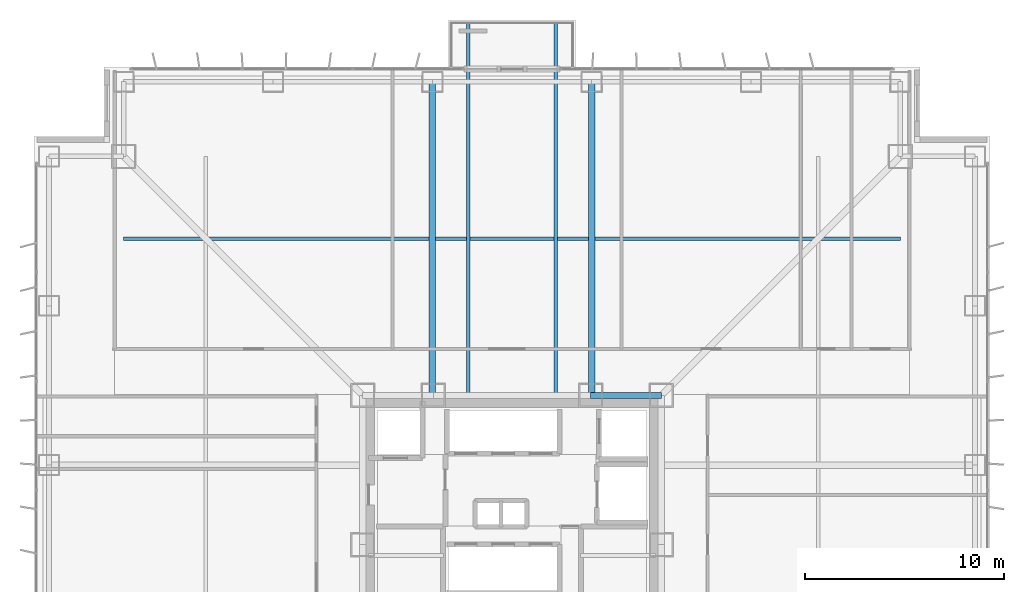
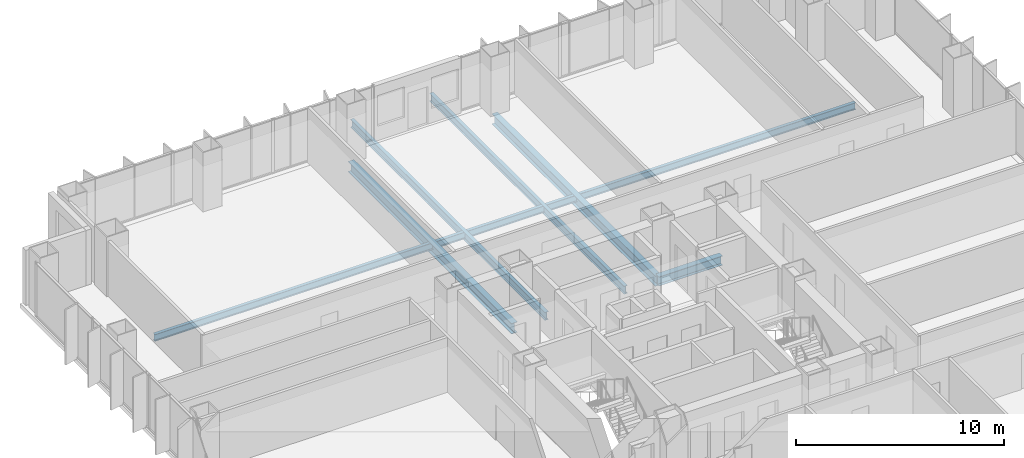
# One storey, part 10 of 21: 6 beams.
"""IFC4 building model written with IfcOpenShell, lengths in metres."""

from ifc_helpers import new_model, si_unit, direction, frame, origin, origin_2d, place, context, subcontext, project, spatial, i_section, extrude, material, material_profile, profile_set, type_object, element, save


model = new_model("IFC4")

# Units and contexts
model_context = context("Model", 3, precision=1e-05, world=origin(), true_north=direction((0.0, 1.0)))
body_context = subcontext(model_context, "Body", "Model", "MODEL_VIEW")
ifc_project = project(units=[si_unit("LENGTHUNIT", "METRE"), si_unit("AREAUNIT", "SQUARE_METRE"), si_unit("VOLUMEUNIT", "CUBIC_METRE"), si_unit("PLANEANGLEUNIT", "RADIAN"), si_unit("MASSUNIT", "GRAM", prefix="KILO")], contexts=[model_context])

# Site, building, storey
site_placement = place(None, origin())
site = spatial("IfcSite", under=ifc_project, at=site_placement, CompositionType="ELEMENT")
building_placement = place(site_placement, origin())
building = spatial("IfcBuilding", under=site, at=building_placement, Name="Trevonay Congress Spire", CompositionType="ELEMENT")
storey_placement = place(building_placement, frame((0.0, 0.0, 37.5)))
storey = spatial("IfcBuildingStorey", under=building, at=storey_placement, Name="L08", CompositionType="ELEMENT", Elevation=37.5)

# Beams
ifc_material = material(Name="Steel ASTM A572 Grade 50", Category="steel")
ifc_material_profile_1 = material_profile(ifc_material, i_section(OverallWidth=0.194091796875, OverallDepth=0.468994140625, WebThickness=0.011474609375, FlangeThickness=0.01953125, FilletRadius=0.013916015625, at=origin_2d()), Name="W460x106")
ifc_profile_set_1 = profile_set([ifc_material_profile_1], Name="Steel ASTM A572 Grade 50")
beam_type_1 = type_object("IfcBeamType", Name="BM-BAL-LOOKOUT", PredefinedType="BEAM", material=ifc_profile_set_1)
for number, where, z_axis, x_axis, name in (
    (1, (-2.199951171875, 7.5, -0.484619140625), (0.0, 1.0, 0.0), (-1.0, 0.0, 0.0), "L08 structural beam LKT-L08-N1"),
    (2, (2.199951171875, 7.5, -0.484619140625), (0.0, 1.0, 0.0), (-1.0, 0.0, 0.0), "L08 structural beam LKT-L08-N2"),
):
    element("IfcBeam", number, at=place(storey_placement, frame(where, z_axis=z_axis, x_axis=x_axis)), inside=storey, type_object=beam_type_1, Name=name, PredefinedType="BEAM", context=body_context, shape_type="SweptSolid", body=[
        extrude(i_section(OverallWidth=0.194091796875, OverallDepth=0.468994140625, WebThickness=0.011474609375, FlangeThickness=0.01953125, FilletRadius=0.013916015625, at=origin_2d()), origin(), (0.0, 0.0, 1.0), 18.75),
    ])
ifc_material_profile_2 = material_profile(ifc_material, i_section(OverallWidth=0.31201171875, OverallDepth=0.54296875, WebThickness=0.0126953125, FlangeThickness=0.020263671875, FilletRadius=0.014892578125, at=origin_2d()), Name="W530x150")
ifc_profile_set_2 = profile_set([ifc_material_profile_2], Name="Steel ASTM A572 Grade 50")
beam_type_2 = type_object("IfcBeamType", Name="BM-GIRD-W530X150", PredefinedType="BEAM", material=ifc_profile_set_2)
beam_1_placement = place(storey_placement, frame((3.949951171875, 7.5, -0.521484375), z_axis=(1.0, 0.0, 0.0), x_axis=(0.0, 1.0, 0.0)))
element("IfcBeam", 3, at=beam_1_placement, inside=storey, type_object=beam_type_2, Name="L08 structural beam BM-L08-CR-N3", PredefinedType="BEAM", context=body_context, shape_type="SweptSolid", body=[
    extrude(i_section(OverallWidth=0.31201171875, OverallDepth=0.54296875, WebThickness=0.0126953125, FlangeThickness=0.020263671875, FilletRadius=0.014892578125, at=origin_2d()), origin(), (0.0, 0.0, 1.0), 3.550048828125),
])
ifc_material_profile_3 = material_profile(ifc_material, i_section(OverallWidth=0.324951171875, OverallDepth=0.615966796875, WebThickness=0.013916015625, FlangeThickness=0.021484375, FilletRadius=0.01806640625, at=origin_2d()), Name="W610x174")
ifc_profile_set_3 = profile_set([ifc_material_profile_3], Name="Steel ASTM A572 Grade 50")
beam_type_3 = type_object("IfcBeamType", Name="BM-GIRD-W610X174", PredefinedType="BEAM", material=ifc_profile_set_3)
for number, where, z_axis, x_axis, name in (
    (4, (-4.0, 7.5, -0.55810546875), (0.0, 1.0, 0.0), (-1.0, 0.0, 0.0), "L08 structural beam BM-L08-GN-M"),
    (5, (4.0, 7.5, -0.55810546875), (0.0, 1.0, 0.0), (-1.0, 0.0, 0.0), "L08 structural beam BM-L08-GN-P"),
):
    element("IfcBeam", number, at=place(storey_placement, frame(where, z_axis=z_axis, x_axis=x_axis)), inside=storey, type_object=beam_type_3, Name=name, PredefinedType="BEAM", context=body_context, shape_type="SweptSolid", body=[
        extrude(i_section(OverallWidth=0.324951171875, OverallDepth=0.615966796875, WebThickness=0.013916015625, FlangeThickness=0.021484375, FilletRadius=0.01806640625, at=origin_2d()), origin(), (0.0, 0.0, 1.0), 15.75),
    ])
ifc_material_profile_4 = material_profile(ifc_material, i_section(OverallWidth=0.177978515625, OverallDepth=0.406982421875, WebThickness=0.0078125, FlangeThickness=0.0126953125, FilletRadius=0.012939453125, at=origin_2d()), Name="W410x60")
ifc_profile_set_4 = profile_set([ifc_material_profile_4], Name="Steel ASTM A572 Grade 50")
beam_type_4 = type_object("IfcBeamType", Name="JS-COMP-W410X60", PredefinedType="JOIST", material=ifc_profile_set_4)
beam_2_placement = place(storey_placement, frame((-19.5, 15.375, -0.45361328125), z_axis=(1.0, 0.0, 0.0), x_axis=(0.0, 1.0, 0.0)))
element("IfcBeam", 6, at=beam_2_placement, inside=storey, type_object=beam_type_4, Name="L08 structural beam JS-L08-RING-N", PredefinedType="JOIST", context=body_context, shape_type="SweptSolid", body=[
    extrude(i_section(OverallWidth=0.177978515625, OverallDepth=0.406982421875, WebThickness=0.0078125, FlangeThickness=0.0126953125, FilletRadius=0.012939453125, at=origin_2d()), origin(), (0.0, 0.0, 1.0), 39.0),
])

save(model, "model.ifc")
